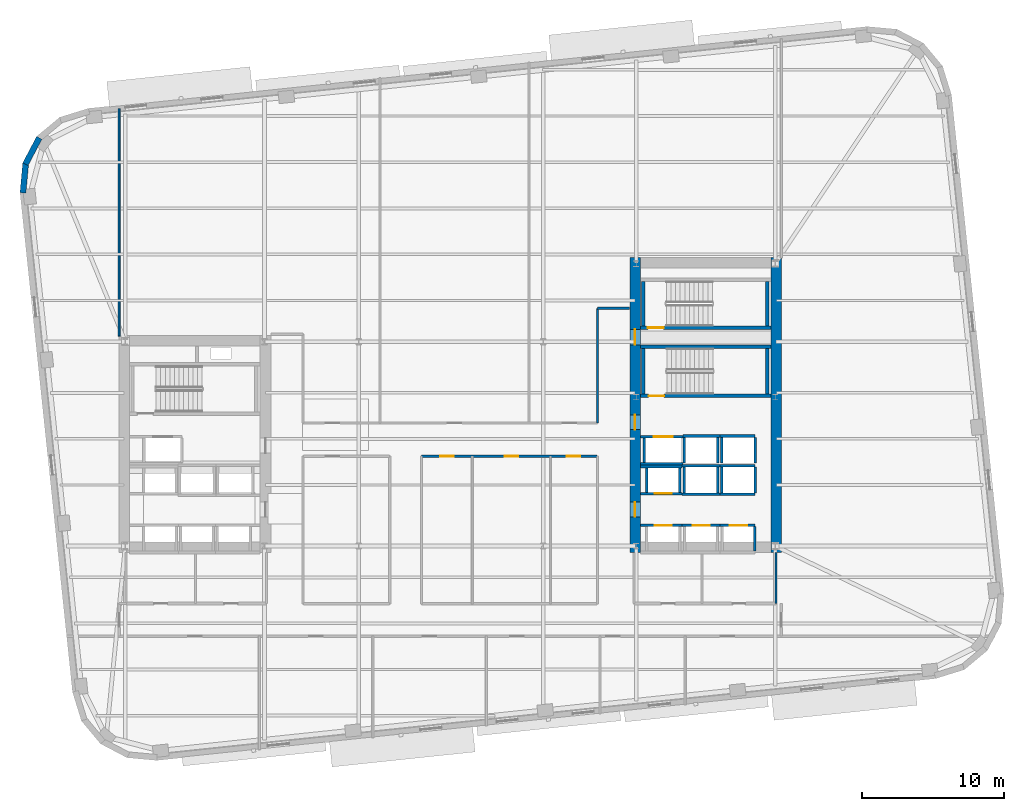
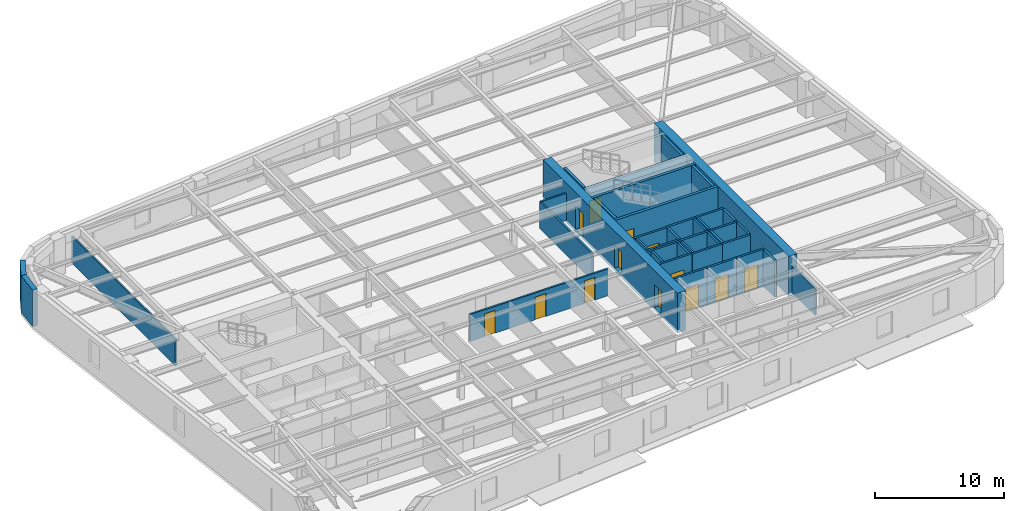
# One storey, part 6 of 11: 41 walls, 13 doors, 13 openings.
"""IFC4 building model written with IfcOpenShell, lengths in metres."""

from ifc_helpers import new_model, si_unit, direction, frame, frame_2d, origin, place, context, subcontext, project, spatial, rectangle, extrude, material, layer, layer_set, type_object, element, fill, save


model = new_model("IFC4")

# Units and contexts
model_context = context("Model", 3, precision=1e-05, world=origin(), true_north=direction((0.0, 1.0)))
body_context = subcontext(model_context, "Body", "Model", "MODEL_VIEW")
ifc_project = project(units=[si_unit("LENGTHUNIT", "METRE"), si_unit("AREAUNIT", "SQUARE_METRE"), si_unit("VOLUMEUNIT", "CUBIC_METRE"), si_unit("PLANEANGLEUNIT", "RADIAN"), si_unit("MASSUNIT", "GRAM", prefix="KILO")], contexts=[model_context])

# Site, building, storey
site_placement = place(None, origin())
site = spatial("IfcSite", under=ifc_project, at=site_placement, CompositionType="ELEMENT")
building_placement = place(site_placement, origin())
building = spatial("IfcBuilding", under=site, at=building_placement, Name="Kolvaren Arena Tower", CompositionType="ELEMENT")
storey_placement = place(building_placement, frame((0.0, 0.0, 103.449951171875)))
storey = spatial("IfcBuildingStorey", under=building, at=storey_placement, Name="L23", CompositionType="ELEMENT", Elevation=103.449951171875)

# Wall, openings, doors
ifc_material_1 = material(Name="Gypsum board acoustic assembly", Category="gypsum")
ifc_layer_1 = layer(ifc_material_1, 0.159912109375)
ifc_layer_set_1 = layer_set([ifc_layer_1], Name="Gypsum board acoustic assembly")
wall_type_1 = type_object("IfcWallType", Name="CORR-160", PredefinedType="PARTITIONING", material=ifc_layer_set_1)
wall_1_placement = place(storey_placement, frame((35.43994140625, 25.780029296875, 0.0), z_axis=(0.0, 0.0, 1.0), x_axis=(1.0, 0.0, 0.0)))
wall_1 = element("IfcWall", 1, at=wall_1_placement, inside=storey, type_object=wall_type_1, Name="Interior Partition Wall (L23)", PredefinedType="PARTITIONING", context=body_context, shape_type="SweptSolid", body=[
    extrude(rectangle(XDim=12.360107421875, YDim=0.159912109375, at=frame_2d((6.18017578125, 0.0))), origin(), (0.0, 0.0, 1.0), 2.5400390625),
])
opening_1_placement = place(wall_1_placement, frame((1.304931640625, 0.0, 0.0)))
opening_1 = element("IfcOpeningElement", 2, at=opening_1_placement, cuts=wall_1, Name="Opening D05", PredefinedType="OPENING", context=body_context, shape_type="SweptSolid", body=[
    extrude(rectangle(XDim=0.949951171875, YDim=2.14990234375, at=frame_2d((0.47509765625, 1.074951171875))), frame((0.0, 0.08984375, 0.0), z_axis=(0.0, -1.0, 0.0), x_axis=(1.0, 0.0, 0.0)), (0.0, 0.0, 1.0), 0.179931640625),
])
opening_2_placement = place(wall_1_placement, frame((5.8349609375, 0.0, 0.0)))
opening_2 = element("IfcOpeningElement", 3, at=opening_2_placement, cuts=wall_1, Name="Opening D05", PredefinedType="OPENING", context=body_context, shape_type="SweptSolid", body=[
    extrude(rectangle(XDim=0.949951171875, YDim=2.14990234375, at=frame_2d((0.47509765625, 1.074951171875))), frame((0.0, 0.08984375, 0.0), z_axis=(0.0, -1.0, 0.0), x_axis=(1.0, 0.0, 0.0)), (0.0, 0.0, 1.0), 0.179931640625),
])
opening_3_placement = place(wall_1_placement, frame((10.235107421875, 0.0, 0.0)))
opening_3 = element("IfcOpeningElement", 4, at=opening_3_placement, cuts=wall_1, Name="Opening D05", PredefinedType="OPENING", context=body_context, shape_type="SweptSolid", body=[
    extrude(rectangle(XDim=0.949951171875, YDim=2.14990234375, at=frame_2d((0.47509765625, 1.074951171875))), frame((0.0, 0.08984375, 0.0), z_axis=(0.0, -1.0, 0.0), x_axis=(1.0, 0.0, 0.0)), (0.0, 0.0, 1.0), 0.179931640625),
])
ifc_material_2 = material(Name="Solid-core oak acoustic office door", Category="wood")
door_type_1 = type_object("IfcDoorType", Name="DOOR-OF-095", OperationType="NOTDEFINED", PredefinedType="DOOR", material=ifc_material_2)
door_1_placement = place(opening_1_placement, origin())
door_1 = element("IfcDoor", 5, at=door_1_placement, inside=storey, type_object=door_type_1, Name="Breakout Pantry and Kitchen Door (L23)", OperationType="SINGLE_SWING_LEFT", OverallHeight=2.14990234375, OverallWidth=0.949951171875, PredefinedType="DOOR", context=body_context, shape_type="SweptSolid", body=[
    extrude(rectangle(XDim=0.949951171875, YDim=2.14990234375, at=frame_2d((0.47509765625, 1.074951171875))), frame((0.0, 0.02490234375, 0.0), z_axis=(0.0, -1.0, 0.0), x_axis=(1.0, 0.0, 0.0)), (0.0, 0.0, 1.0), 0.050048828125),
])
fill(opening_1, door_1)
door_2_placement = place(opening_2_placement, origin())
door_2 = element("IfcDoor", 6, at=door_2_placement, inside=storey, type_object=door_type_1, Name="Design Studio Door (L23)", OperationType="SINGLE_SWING_RIGHT", OverallHeight=2.14990234375, OverallWidth=0.949951171875, PredefinedType="DOOR", context=body_context, shape_type="SweptSolid", body=[
    extrude(rectangle(XDim=0.949951171875, YDim=2.14990234375, at=frame_2d((0.47509765625, 1.074951171875))), frame((0.0, 0.02490234375, 0.0), z_axis=(0.0, -1.0, 0.0), x_axis=(1.0, 0.0, 0.0)), (0.0, 0.0, 1.0), 0.050048828125),
])
fill(opening_2, door_2)
door_3_placement = place(opening_3_placement, origin())
door_3 = element("IfcDoor", 7, at=door_3_placement, inside=storey, type_object=door_type_1, Name="Training Seminar Room Door (L23)", OperationType="SINGLE_SWING_LEFT", OverallHeight=2.14990234375, OverallWidth=0.949951171875, PredefinedType="DOOR", context=body_context, shape_type="SweptSolid", body=[
    extrude(rectangle(XDim=0.949951171875, YDim=2.14990234375, at=frame_2d((0.47509765625, 1.074951171875))), frame((0.0, 0.02490234375, 0.0), z_axis=(0.0, -1.0, 0.0), x_axis=(1.0, 0.0, 0.0)), (0.0, 0.0, 1.0), 0.050048828125),
])
fill(opening_3, door_3)

# Walls
wall_2_placement = place(storey_placement, frame((47.820068359375, 28.1201171875, 0.0), z_axis=(0.0, 0.0, 1.0), x_axis=(0.0, 1.0, 0.0)))
element("IfcWall", 8, at=wall_2_placement, inside=storey, type_object=wall_type_1, Name="Interior Partition Wall (L23)", PredefinedType="PARTITIONING", context=body_context, shape_type="SweptSolid", body=[
    extrude(rectangle(XDim=8.079833984375, YDim=0.159912109375, at=frame_2d((4.0400390625, 0.0))), origin(), (0.0, 0.0, 1.0), 2.5400390625),
])
wall_3_placement = place(storey_placement, frame((47.820068359375, 36.199951171875, 0.0), z_axis=(0.0, 0.0, 1.0), x_axis=(1.0, 0.0, 0.0)))
element("IfcWall", 9, at=wall_3_placement, inside=storey, type_object=wall_type_1, Name="Interior Partition Wall (L23)", PredefinedType="PARTITIONING", context=body_context, shape_type="SweptSolid", body=[
    extrude(rectangle(XDim=2.260009765625, YDim=0.159912109375, at=frame_2d((1.1298828125, 0.0))), origin(), (0.0, 0.0, 1.0), 2.5400390625),
])

# Wall, openings, doors
ifc_material_3 = material(Name="Concrete 70 MPa", Category="concrete")
ifc_layer_2 = layer(ifc_material_3, 0.75)
ifc_layer_set_2 = layer_set([ifc_layer_2], Name="Concrete 70 MPa")
wall_type_2 = type_object("IfcWallType", Name="CWALL-750", PredefinedType="SHEAR", material=ifc_layer_set_2)
wall_4_placement = place(storey_placement, frame((50.47509765625, 19.0, -0.27001953125), z_axis=(0.0, 0.0, 1.0), x_axis=(0.0, 1.0, 0.0)))
wall_4 = element("IfcWall", 10, at=wall_4_placement, inside=storey, type_object=wall_type_2, Name="Core Shear Wall EC-WEST (L23)", PredefinedType="SHEAR", context=body_context, shape_type="SweptSolid", body=[
    extrude(rectangle(XDim=20.800048828125, YDim=0.75, at=frame_2d((10.39990234375, 0.0))), origin(), (0.0, 0.0, 1.0), 3.75),
])
opening_4_placement = place(wall_4_placement, frame((2.5, 0.0, 0.27001953125)))
opening_4 = element("IfcOpeningElement", 11, at=opening_4_placement, cuts=wall_4, Name="Opening D04", PredefinedType="OPENING", context=body_context, shape_type="SweptSolid", body=[
    extrude(rectangle(XDim=1.050048828125, YDim=2.14990234375, at=frame_2d((0.52490234375, 1.074951171875))), frame((0.0, 0.385009765625, 0.0), z_axis=(0.0, -1.0, 0.0), x_axis=(1.0, 0.0, 0.0)), (0.0, 0.0, 1.0), 0.77001953125),
])
opening_5_placement = place(wall_4_placement, frame((8.64990234375, 0.0, 0.27001953125)))
opening_5 = element("IfcOpeningElement", 12, at=opening_5_placement, cuts=wall_4, Name="Opening D04", PredefinedType="OPENING", context=body_context, shape_type="SweptSolid", body=[
    extrude(rectangle(XDim=1.050048828125, YDim=2.14990234375, at=frame_2d((0.52490234375, 1.074951171875))), frame((0.0, 0.385009765625, 0.0), z_axis=(0.0, -1.0, 0.0), x_axis=(1.0, 0.0, 0.0)), (0.0, 0.0, 1.0), 0.77001953125),
])
opening_6_placement = place(wall_4_placement, frame((14.6201171875, 0.0, 0.27001953125)))
opening_6 = element("IfcOpeningElement", 13, at=opening_6_placement, cuts=wall_4, Name="Opening D03", PredefinedType="OPENING", context=body_context, shape_type="SweptSolid", body=[
    extrude(rectangle(XDim=1.10009765625, YDim=2.14990234375, at=frame_2d((0.550048828125, 1.074951171875))), frame((0.0, 0.385009765625, 0.0), z_axis=(0.0, -1.0, 0.0), x_axis=(1.0, 0.0, 0.0)), (0.0, 0.0, 1.0), 0.77001953125),
])
ifc_material_4 = material(Name="Fire-rated steel lobby door", Category="steel")
door_type_2 = type_object("IfcDoorType", Name="DOOR-FF-105", OperationType="NOTDEFINED", PredefinedType="DOOR", material=ifc_material_4)
door_4_placement = place(opening_4_placement, origin())
door_4 = element("IfcDoor", 14, at=door_4_placement, inside=storey, type_object=door_type_2, Name="East Lift Lobby Fire Door (L23)", OperationType="SINGLE_SWING_RIGHT", OverallHeight=2.14990234375, OverallWidth=1.050048828125, PredefinedType="DOOR", context=body_context, shape_type="SweptSolid", body=[
    extrude(rectangle(XDim=1.050048828125, YDim=2.14990234375, at=frame_2d((0.52490234375, 1.074951171875))), frame((0.0, 0.02490234375, 0.0), z_axis=(0.0, -1.0, 0.0), x_axis=(1.0, 0.0, 0.0)), (0.0, 0.0, 1.0), 0.050048828125),
])
fill(opening_4, door_4)
door_5_placement = place(opening_5_placement, origin())
door_5 = element("IfcDoor", 15, at=door_5_placement, inside=storey, type_object=door_type_2, Name="East Firefighter Vestibule Door (L23)", OperationType="SINGLE_SWING_LEFT", OverallHeight=2.14990234375, OverallWidth=1.050048828125, PredefinedType="DOOR", context=body_context, shape_type="SweptSolid", body=[
    extrude(rectangle(XDim=1.050048828125, YDim=2.14990234375, at=frame_2d((0.52490234375, 1.074951171875))), frame((0.0, 0.02490234375, 0.0), z_axis=(0.0, -1.0, 0.0), x_axis=(1.0, 0.0, 0.0)), (0.0, 0.0, 1.0), 0.050048828125),
])
fill(opening_5, door_5)
ifc_material_5 = material(Name="Fire-rated steel exit stair door", Category="steel")
door_type_3 = type_object("IfcDoorType", Name="DOOR-ST-110", OperationType="NOTDEFINED", PredefinedType="DOOR", material=ifc_material_5)
door_6_placement = place(opening_6_placement, origin())
door_6 = element("IfcDoor", 16, at=door_6_placement, inside=storey, type_object=door_type_3, Name="Stair ST-E2 Vestibule Fire Door (L23)", OperationType="SINGLE_SWING_LEFT", OverallHeight=2.14990234375, OverallWidth=1.10009765625, PredefinedType="DOOR", context=body_context, shape_type="SweptSolid", body=[
    extrude(rectangle(XDim=1.10009765625, YDim=2.14990234375, at=frame_2d((0.550048828125, 1.074951171875))), frame((0.0, 0.02490234375, 0.0), z_axis=(0.0, -1.0, 0.0), x_axis=(1.0, 0.0, 0.0)), (0.0, 0.0, 1.0), 0.050048828125),
])
fill(opening_6, door_6)

# Walls
wall_5_placement = place(storey_placement, frame((60.425048828125, 19.0, -0.27001953125), z_axis=(0.0, 0.0, 1.0), x_axis=(0.0, 1.0, 0.0)))
element("IfcWall", 17, at=wall_5_placement, inside=storey, type_object=wall_type_2, Name="Core Shear Wall EC-EAST (L23)", PredefinedType="SHEAR", context=body_context, shape_type="SweptSolid", body=[
    extrude(rectangle(XDim=20.800048828125, YDim=0.75, at=frame_2d((10.39990234375, 0.0))), origin(), (0.0, 0.0, 1.0), 3.75),
])
ifc_material_6 = material(Name="Precast concrete C50/60", Category="concrete")
ifc_layer_3 = layer(ifc_material_6, 0.419921875)
ifc_layer_set_3 = layer_set([ifc_layer_3], Name="Precast concrete C50/60")
wall_type_3 = type_object("IfcWallType", Name="EXT-PIER1", PredefinedType="SOLIDWALL", material=ifc_layer_set_3)
wall_6_placement = place(storey_placement, frame((7.50927734375, 46.35400390625, 0.0), z_axis=(0.0, 0.0, 1.0), x_axis=(0.465612698516, 0.884988595961, 0.0)))
element("IfcWall", 18, at=wall_6_placement, inside=storey, type_object=wall_type_3, Name="Exterior Precast Masonry-Frame Wall (L23)", PredefinedType="SOLIDWALL", context=body_context, shape_type="SweptSolid", body=[
    extrude(rectangle(XDim=2.106689453125, YDim=0.419921875, at=frame_2d((1.05322265625, 0.0))), origin(), (0.0, 0.0, 1.0), 3.47998046875),
])
wall_7_placement = place(storey_placement, frame((7.339599609375, 44.33447265625, 0.0), z_axis=(0.0, 0.0, 1.0), x_axis=(0.091538655308, 0.995801523691, 0.0)))
element("IfcWall", 19, at=wall_7_placement, inside=storey, type_object=wall_type_3, Name="Exterior Precast Masonry-Frame Wall (L23)", PredefinedType="SOLIDWALL", context=body_context, shape_type="SweptSolid", body=[
    extrude(rectangle(XDim=2.10693359375, YDim=0.419921875, at=frame_2d((1.053466796875, 0.0))), origin(), (0.0, 0.0, 1.0), 3.47998046875),
])
ifc_material_7 = material(Name="Gypsum board partition assembly", Category="gypsum")
ifc_layer_4 = layer(ifc_material_7, 0.135009765625)
ifc_layer_set_4 = layer_set([ifc_layer_4], Name="Gypsum board partition assembly")
wall_type_4 = type_object("IfcWallType", Name="PART-135", PredefinedType="PARTITIONING", material=ifc_layer_set_4)
wall_8_placement = place(storey_placement, frame((14.1201171875, 34.25, 0.0), z_axis=(0.0, 0.0, 1.0), x_axis=(0.0, 1.0, 0.0)))
element("IfcWall", 20, at=wall_8_placement, inside=storey, type_object=wall_type_4, Name="Interior Partition Wall (L23)", PredefinedType="PARTITIONING", context=body_context, shape_type="SweptSolid", body=[
    extrude(rectangle(XDim=16.026611328125, YDim=0.135009765625, at=frame_2d((8.01318359375, 0.0))), origin(), (0.0, 0.0, 1.0), 2.5400390625),
])

# Wall, opening, door
ifc_material_8 = material(Name="Concrete 45 MPa", Category="concrete")
ifc_layer_5 = layer(ifc_material_8, 0.25)
ifc_layer_set_5 = layer_set([ifc_layer_5], Name="Concrete 45 MPa")
wall_type_5 = type_object("IfcWallType", Name="SHAFT-250", PredefinedType="SOLIDWALL", material=ifc_layer_set_5)
wall_9_placement = place(storey_placement, frame((60.050048828125, 30.030029296875, 0.0), z_axis=(0.0, 0.0, 1.0), x_axis=(-1.0, 0.0, 0.0)))
wall_9 = element("IfcWall", 21, at=wall_9_placement, inside=storey, type_object=wall_type_5, Name="Core Shaft Wall (L23)", PredefinedType="SOLIDWALL", context=body_context, shape_type="SweptSolid", body=[
    extrude(rectangle(XDim=9.199951171875, YDim=0.239990234375, at=frame_2d((4.60009765625, 0.0))), origin(), (0.0, 0.0, 1.0), 3.47998046875),
])
opening_7_placement = place(wall_9_placement, frame((7.530029296875, 0.0, 0.0)))
opening_7 = element("IfcOpeningElement", 22, at=opening_7_placement, cuts=wall_9, Name="Opening D03", PredefinedType="OPENING", context=body_context, shape_type="SweptSolid", body=[
    extrude(rectangle(XDim=1.10009765625, YDim=2.14990234375, at=frame_2d((0.550048828125, 1.074951171875))), frame((0.0, 0.1298828125, 0.0), z_axis=(0.0, -1.0, 0.0), x_axis=(1.0, 0.0, 0.0)), (0.0, 0.0, 1.0), 0.260009765625),
])
door_7_placement = place(opening_7_placement, origin())
door_7 = element("IfcDoor", 23, at=door_7_placement, inside=storey, type_object=door_type_3, Name="Stair ST-E1 Fire Door (L23)", OperationType="SINGLE_SWING_LEFT", OverallHeight=2.14990234375, OverallWidth=1.10009765625, PredefinedType="DOOR", context=body_context, shape_type="SweptSolid", body=[
    extrude(rectangle(XDim=1.10009765625, YDim=2.14990234375, at=frame_2d((0.550048828125, 1.074951171875))), frame((0.0, 0.02490234375, 0.0), z_axis=(0.0, -1.0, 0.0), x_axis=(1.0, 0.0, 0.0)), (0.0, 0.0, 1.0), 0.050048828125),
])
fill(opening_7, door_7)

# Walls
wall_10_placement = place(storey_placement, frame((50.85009765625, 33.5, 0.0), z_axis=(0.0, 0.0, 1.0), x_axis=(1.0, 0.0, 0.0)))
element("IfcWall", 24, at=wall_10_placement, inside=storey, type_object=wall_type_5, Name="Core Shaft Wall (L23)", PredefinedType="SOLIDWALL", context=body_context, shape_type="SweptSolid", body=[
    extrude(rectangle(XDim=9.199951171875, YDim=0.239990234375, at=frame_2d((4.60009765625, 0.0))), origin(), (0.0, 0.0, 1.0), 3.47998046875),
])
for number, where, z_axis, x_axis, name in (
    (25, (51.06005859375, 30.14990234375, 0.0), (0.0, 0.0, 1.0), (0.0, 1.0, 0.0), "Core Shaft Wall (L23)"),
    (26, (59.780029296875, 30.14990234375, 0.0), (0.0, 0.0, 1.0), (0.0, 1.0, 0.0), "Core Shaft Wall (L23)"),
):
    element("IfcWall", number, at=place(storey_placement, frame(where, z_axis=z_axis, x_axis=x_axis)), inside=storey, type_object=wall_type_5, Name=name, PredefinedType="SOLIDWALL", context=body_context, shape_type="SweptSolid", body=[
        extrude(rectangle(XDim=3.22998046875, YDim=0.239990234375, at=frame_2d((1.614990234375, 0.0))), origin(), (0.0, 0.0, 1.0), 3.47998046875),
    ])

# Wall, opening, door
wall_11_placement = place(storey_placement, frame((60.050048828125, 34.830078125, 0.0), z_axis=(0.0, 0.0, 1.0), x_axis=(-1.0, 0.0, 0.0)))
wall_11 = element("IfcWall", 27, at=wall_11_placement, inside=storey, type_object=wall_type_5, Name="Core Shaft Wall (L23)", PredefinedType="SOLIDWALL", context=body_context, shape_type="SweptSolid", body=[
    extrude(rectangle(XDim=9.199951171875, YDim=0.239990234375, at=frame_2d((4.60009765625, 0.0))), origin(), (0.0, 0.0, 1.0), 3.47998046875),
])
opening_8_placement = place(wall_11_placement, frame((7.570068359375, 0.0, 0.0)))
opening_8 = element("IfcOpeningElement", 28, at=opening_8_placement, cuts=wall_11, Name="Opening D03", PredefinedType="OPENING", context=body_context, shape_type="SweptSolid", body=[
    extrude(rectangle(XDim=1.10009765625, YDim=2.14990234375, at=frame_2d((0.550048828125, 1.074951171875))), frame((0.0, 0.1298828125, 0.0), z_axis=(0.0, -1.0, 0.0), x_axis=(1.0, 0.0, 0.0)), (0.0, 0.0, 1.0), 0.260009765625),
])
door_8_placement = place(opening_8_placement, origin())
door_8 = element("IfcDoor", 29, at=door_8_placement, inside=storey, type_object=door_type_3, Name="Stair ST-E2 Fire Door (L23)", OperationType="SINGLE_SWING_LEFT", OverallHeight=2.14990234375, OverallWidth=1.10009765625, PredefinedType="DOOR", context=body_context, shape_type="SweptSolid", body=[
    extrude(rectangle(XDim=1.10009765625, YDim=2.14990234375, at=frame_2d((0.550048828125, 1.074951171875))), frame((0.0, 0.02490234375, 0.0), z_axis=(0.0, -1.0, 0.0), x_axis=(1.0, 0.0, 0.0)), (0.0, 0.0, 1.0), 0.050048828125),
])
fill(opening_8, door_8)

# Walls
for number, where, z_axis, x_axis, name in (
    (30, (51.06005859375, 34.949951171875, 0.0), (0.0, 0.0, 1.0), (0.0, 1.0, 0.0), "Core Shaft Wall (L23)"),
    (31, (59.780029296875, 34.949951171875, 0.0), (0.0, 0.0, 1.0), (0.0, 1.0, 0.0), "Core Shaft Wall (L23)"),
):
    element("IfcWall", number, at=place(storey_placement, frame(where, z_axis=z_axis, x_axis=x_axis)), inside=storey, type_object=wall_type_5, Name=name, PredefinedType="SOLIDWALL", context=body_context, shape_type="SweptSolid", body=[
        extrude(rectangle(XDim=3.150146484375, YDim=0.239990234375, at=frame_2d((1.5751953125, 0.0))), origin(), (0.0, 0.0, 1.0), 3.47998046875),
    ])

# Wall, opening, door
wall_12_placement = place(storey_placement, frame((50.85009765625, 20.905029296875, 0.0), z_axis=(0.0, 0.0, 1.0), x_axis=(1.0, 0.0, 0.0)))
wall_12 = element("IfcWall", 32, at=wall_12_placement, inside=storey, type_object=wall_type_5, Name="Core Shaft Wall (L23)", PredefinedType="SOLIDWALL", context=body_context, shape_type="SweptSolid", body=[
    extrude(rectangle(XDim=2.93994140625, YDim=0.179931640625, at=frame_2d((1.469970703125, 0.0))), origin(), (0.0, 0.0, 1.0), 3.47998046875),
])
opening_9_placement = place(wall_12_placement, frame((1.010009765625, 0.0, 0.0)))
opening_9 = element("IfcOpeningElement", 33, at=opening_9_placement, cuts=wall_12, Name="Opening LD1", PredefinedType="OPENING", context=body_context, shape_type="SweptSolid", body=[
    extrude(rectangle(XDim=1.199951171875, YDim=2.199951171875, at=frame_2d((0.60009765625, 1.10009765625))), frame((0.0, 0.099853515625, 0.0), z_axis=(0.0, -1.0, 0.0), x_axis=(1.0, 0.0, 0.0)), (0.0, 0.0, 1.0), 0.199951171875),
])
ifc_material_9 = material(Name="Stainless steel passenger lift landing door", Category="steel")
door_type_4 = type_object("IfcDoorType", Name="DOOR-LD-120", OperationType="DOUBLE_DOOR_SLIDING", PredefinedType="DOOR", material=ifc_material_9)
door_9_placement = place(opening_9_placement, origin())
door_9 = element("IfcDoor", 34, at=door_9_placement, inside=storey, type_object=door_type_4, Name="Lift EL-LR1 Landing Door (L23)", OperationType="DOUBLE_DOOR_SLIDING", OverallHeight=2.199951171875, OverallWidth=1.199951171875, PredefinedType="DOOR", context=body_context, shape_type="SweptSolid", body=[
    extrude(rectangle(XDim=1.199951171875, YDim=2.199951171875, at=frame_2d((0.60009765625, 1.10009765625))), frame((0.0, 0.02490234375, 0.0), z_axis=(0.0, -1.0, 0.0), x_axis=(1.0, 0.0, 0.0)), (0.0, 0.0, 1.0), 0.050048828125),
])
fill(opening_9, door_9)

wall_13_placement = place(storey_placement, frame((53.7900390625, 20.905029296875, 0.0), z_axis=(0.0, 0.0, 1.0), x_axis=(1.0, 0.0, 0.0)))
wall_13 = element("IfcWall", 35, at=wall_13_placement, inside=storey, type_object=wall_type_5, Name="Core Shaft Wall (L23)", PredefinedType="SOLIDWALL", context=body_context, shape_type="SweptSolid", body=[
    extrude(rectangle(XDim=2.64990234375, YDim=0.179931640625, at=frame_2d((1.324951171875, 0.0))), origin(), (0.0, 0.0, 1.0), 3.47998046875),
])
opening_10_placement = place(wall_13_placement, frame((0.72998046875, 0.0, 0.0)))
opening_10 = element("IfcOpeningElement", 36, at=opening_10_placement, cuts=wall_13, Name="Opening LD1", PredefinedType="OPENING", context=body_context, shape_type="SweptSolid", body=[
    extrude(rectangle(XDim=1.199951171875, YDim=2.199951171875, at=frame_2d((0.60009765625, 1.10009765625))), frame((0.0, 0.099853515625, 0.0), z_axis=(0.0, -1.0, 0.0), x_axis=(1.0, 0.0, 0.0)), (0.0, 0.0, 1.0), 0.199951171875),
])
door_10_placement = place(opening_10_placement, origin())
door_10 = element("IfcDoor", 37, at=door_10_placement, inside=storey, type_object=door_type_4, Name="Lift EL-LR2 Landing Door (L23)", OperationType="DOUBLE_DOOR_SLIDING", OverallHeight=2.199951171875, OverallWidth=1.199951171875, PredefinedType="DOOR", context=body_context, shape_type="SweptSolid", body=[
    extrude(rectangle(XDim=1.199951171875, YDim=2.199951171875, at=frame_2d((0.60009765625, 1.10009765625))), frame((0.0, 0.02490234375, 0.0), z_axis=(0.0, -1.0, 0.0), x_axis=(1.0, 0.0, 0.0)), (0.0, 0.0, 1.0), 0.050048828125),
])
fill(opening_10, door_10)

wall_14_placement = place(storey_placement, frame((56.43994140625, 20.905029296875, 0.0), z_axis=(0.0, 0.0, 1.0), x_axis=(1.0, 0.0, 0.0)))
wall_14 = element("IfcWall", 38, at=wall_14_placement, inside=storey, type_object=wall_type_5, Name="Core Shaft Wall (L23)", PredefinedType="SOLIDWALL", context=body_context, shape_type="SweptSolid", body=[
    extrude(rectangle(XDim=2.47509765625, YDim=0.179931640625, at=frame_2d((1.237548828125, 0.0))), origin(), (0.0, 0.0, 1.0), 3.47998046875),
])
opening_11_placement = place(wall_14_placement, frame((0.719970703125, 0.0, 0.0)))
opening_11 = element("IfcOpeningElement", 39, at=opening_11_placement, cuts=wall_14, Name="Opening LD1", PredefinedType="OPENING", context=body_context, shape_type="SweptSolid", body=[
    extrude(rectangle(XDim=1.199951171875, YDim=2.199951171875, at=frame_2d((0.60009765625, 1.10009765625))), frame((0.0, 0.099853515625, 0.0), z_axis=(0.0, -1.0, 0.0), x_axis=(1.0, 0.0, 0.0)), (0.0, 0.0, 1.0), 0.199951171875),
])
door_11_placement = place(opening_11_placement, origin())
door_11 = element("IfcDoor", 40, at=door_11_placement, inside=storey, type_object=door_type_4, Name="Lift EL-LR3 Landing Door (L23)", OperationType="DOUBLE_DOOR_SLIDING", OverallHeight=2.199951171875, OverallWidth=1.199951171875, PredefinedType="DOOR", context=body_context, shape_type="SweptSolid", body=[
    extrude(rectangle(XDim=1.199951171875, YDim=2.199951171875, at=frame_2d((0.60009765625, 1.10009765625))), frame((0.0, 0.02490234375, 0.0), z_axis=(0.0, -1.0, 0.0), x_axis=(1.0, 0.0, 0.0)), (0.0, 0.0, 1.0), 0.050048828125),
])
fill(opening_11, door_11)

# Walls
wall_15_placement = place(storey_placement, frame((58.9150390625, 19.0849609375, 0.0), z_axis=(0.0, 0.0, 1.0), x_axis=(0.0, 1.0, 0.0)))
element("IfcWall", 41, at=wall_15_placement, inside=storey, type_object=wall_type_5, Name="Core Shaft Wall (L23)", PredefinedType="SOLIDWALL", context=body_context, shape_type="SweptSolid", body=[
    extrude(rectangle(XDim=1.72998046875, YDim=0.179931640625, at=frame_2d((0.864990234375, 0.0))), origin(), (0.0, 0.0, 1.0), 3.47998046875),
])
wall_16_placement = place(storey_placement, frame((50.85009765625, 25.054931640625, 0.0), z_axis=(0.0, 0.0, 1.0), x_axis=(1.0, 0.0, 0.0)))
element("IfcWall", 42, at=wall_16_placement, inside=storey, type_object=wall_type_5, Name="Core Shaft Wall (L23)", PredefinedType="SOLIDWALL", context=body_context, shape_type="SweptSolid", body=[
    extrude(rectangle(XDim=2.927490234375, YDim=0.179931640625, at=frame_2d((1.4638671875, 0.0))), origin(), (0.0, 0.0, 1.0), 3.47998046875),
])

# Wall, opening, door
wall_17_placement = place(storey_placement, frame((50.85009765625, 23.14501953125, 0.0), z_axis=(0.0, 0.0, 1.0), x_axis=(1.0, 0.0, 0.0)))
wall_17 = element("IfcWall", 43, at=wall_17_placement, inside=storey, type_object=wall_type_5, Name="Core Shaft Wall (L23)", PredefinedType="SOLIDWALL", context=body_context, shape_type="SweptSolid", body=[
    extrude(rectangle(XDim=2.927490234375, YDim=0.179931640625, at=frame_2d((1.4638671875, 0.0))), origin(), (0.0, 0.0, 1.0), 3.47998046875),
])
opening_12_placement = place(wall_17_placement, frame((1.010009765625, 0.0, 0.0)))
opening_12 = element("IfcOpeningElement", 44, at=opening_12_placement, cuts=wall_17, Name="Opening LD1", PredefinedType="OPENING", context=body_context, shape_type="SweptSolid", body=[
    extrude(rectangle(XDim=1.199951171875, YDim=2.199951171875, at=frame_2d((0.60009765625, 1.10009765625))), frame((0.0, 0.099853515625, 0.0), z_axis=(0.0, -1.0, 0.0), x_axis=(1.0, 0.0, 0.0)), (0.0, 0.0, 1.0), 0.199951171875),
])
door_12_placement = place(opening_12_placement, origin())
door_12 = element("IfcDoor", 45, at=door_12_placement, inside=storey, type_object=door_type_4, Name="Lift EL-LR4 Landing Door (L23)", OperationType="DOUBLE_DOOR_SLIDING", OverallHeight=2.199951171875, OverallWidth=1.199951171875, PredefinedType="DOOR", context=body_context, shape_type="SweptSolid", body=[
    extrude(rectangle(XDim=1.199951171875, YDim=2.199951171875, at=frame_2d((0.60009765625, 1.10009765625))), frame((0.0, 0.02490234375, 0.0), z_axis=(0.0, -1.0, 0.0), x_axis=(1.0, 0.0, 0.0)), (0.0, 0.0, 1.0), 0.050048828125),
])
fill(opening_12, door_12)

# Walls
for number, where, z_axis, x_axis, name in (
    (46, (51.304931640625, 23.235107421875, 0.0), (0.0, 0.0, 1.0), (0.0, 1.0, 0.0), "Core Shaft Wall (L23)"),
    (47, (53.614990234375, 23.235107421875, 0.0), (0.0, 0.0, 1.0), (0.0, 1.0, 0.0), "Core Shaft Wall (L23)"),
):
    element("IfcWall", number, at=place(storey_placement, frame(where, z_axis=z_axis, x_axis=x_axis)), inside=storey, type_object=wall_type_5, Name=name, PredefinedType="SOLIDWALL", context=body_context, shape_type="SweptSolid", body=[
        extrude(rectangle(XDim=1.72998046875, YDim=0.179931640625, at=frame_2d((0.864990234375, 0.0))), origin(), (0.0, 0.0, 1.0), 3.47998046875),
    ])
for number, where, z_axis, x_axis, name in (
    (48, (53.777587890625, 25.10498046875, 0.0), (0.0, 0.0, 1.0), (1.0, 0.0, 0.0), "Core Shaft Wall (L23)"),
    (49, (53.777587890625, 23.094970703125, 0.0), (0.0, 0.0, 1.0), (1.0, 0.0, 0.0), "Core Shaft Wall (L23)"),
):
    element("IfcWall", number, at=place(storey_placement, frame(where, z_axis=z_axis, x_axis=x_axis)), inside=storey, type_object=wall_type_5, Name=name, PredefinedType="SOLIDWALL", context=body_context, shape_type="SweptSolid", body=[
        extrude(rectangle(XDim=2.662353515625, YDim=0.179931640625, at=frame_2d((1.3310546875, 0.0))), origin(), (0.0, 0.0, 1.0), 3.47998046875),
    ])
for number, where, z_axis, x_axis, name in (
    (50, (53.93994140625, 23.18505859375, 0.0), (0.0, 0.0, 1.0), (0.0, 1.0, 0.0), "Core Shaft Wall (L23)"),
    (51, (56.300048828125, 23.18505859375, 0.0), (0.0, 0.0, 1.0), (0.0, 1.0, 0.0), "Core Shaft Wall (L23)"),
):
    element("IfcWall", number, at=place(storey_placement, frame(where, z_axis=z_axis, x_axis=x_axis)), inside=storey, type_object=wall_type_5, Name=name, PredefinedType="SOLIDWALL", context=body_context, shape_type="SweptSolid", body=[
        extrude(rectangle(XDim=1.829833984375, YDim=0.179931640625, at=frame_2d((0.9150390625, 0.0))), origin(), (0.0, 0.0, 1.0), 3.47998046875),
    ])
for number, where, z_axis, x_axis, name in (
    (52, (56.43994140625, 25.10498046875, 0.0), (0.0, 0.0, 1.0), (1.0, 0.0, 0.0), "Core Shaft Wall (L23)"),
    (53, (56.43994140625, 23.094970703125, 0.0), (0.0, 0.0, 1.0), (1.0, 0.0, 0.0), "Core Shaft Wall (L23)"),
):
    element("IfcWall", number, at=place(storey_placement, frame(where, z_axis=z_axis, x_axis=x_axis)), inside=storey, type_object=wall_type_5, Name=name, PredefinedType="SOLIDWALL", context=body_context, shape_type="SweptSolid", body=[
        extrude(rectangle(XDim=2.5, YDim=0.179931640625, at=frame_2d((1.25, 0.0))), origin(), (0.0, 0.0, 1.0), 3.47998046875),
    ])
for number, where, z_axis, x_axis, name in (
    (54, (56.580078125, 23.18505859375, 0.0), (0.0, 0.0, 1.0), (0.0, 1.0, 0.0), "Core Shaft Wall (L23)"),
    (55, (58.93994140625, 23.18505859375, 0.0), (0.0, 0.0, 1.0), (0.0, 1.0, 0.0), "Core Shaft Wall (L23)"),
):
    element("IfcWall", number, at=place(storey_placement, frame(where, z_axis=z_axis, x_axis=x_axis)), inside=storey, type_object=wall_type_5, Name=name, PredefinedType="SOLIDWALL", context=body_context, shape_type="SweptSolid", body=[
        extrude(rectangle(XDim=1.829833984375, YDim=0.179931640625, at=frame_2d((0.9150390625, 0.0))), origin(), (0.0, 0.0, 1.0), 3.47998046875),
    ])
wall_18_placement = place(storey_placement, frame((53.864990234375, 27.205078125, 0.0), z_axis=(0.0, 0.0, 1.0), x_axis=(1.0, 0.0, 0.0)))
element("IfcWall", 56, at=wall_18_placement, inside=storey, type_object=wall_type_5, Name="Core Shaft Wall (L23)", PredefinedType="SOLIDWALL", context=body_context, shape_type="SweptSolid", body=[
    extrude(rectangle(XDim=2.574951171875, YDim=0.179931640625, at=frame_2d((1.28759765625, 0.0))), origin(), (0.0, 0.0, 1.0), 3.47998046875),
])
for number, where, z_axis, x_axis, name in (
    (57, (53.93994140625, 25.284912109375, 0.0), (0.0, 0.0, 1.0), (0.0, 1.0, 0.0), "Core Shaft Wall (L23)"),
    (58, (56.300048828125, 25.284912109375, 0.0), (0.0, 0.0, 1.0), (0.0, 1.0, 0.0), "Core Shaft Wall (L23)"),
):
    element("IfcWall", number, at=place(storey_placement, frame(where, z_axis=z_axis, x_axis=x_axis)), inside=storey, type_object=wall_type_5, Name=name, PredefinedType="SOLIDWALL", context=body_context, shape_type="SweptSolid", body=[
        extrude(rectangle(XDim=1.830078125, YDim=0.179931640625, at=frame_2d((0.9150390625, 0.0))), origin(), (0.0, 0.0, 1.0), 3.47998046875),
    ])
wall_19_placement = place(storey_placement, frame((56.43994140625, 27.205078125, 0.0), z_axis=(0.0, 0.0, 1.0), x_axis=(1.0, 0.0, 0.0)))
element("IfcWall", 59, at=wall_19_placement, inside=storey, type_object=wall_type_5, Name="Core Shaft Wall (L23)", PredefinedType="SOLIDWALL", context=body_context, shape_type="SweptSolid", body=[
    extrude(rectangle(XDim=2.5, YDim=0.179931640625, at=frame_2d((1.25, 0.0))), origin(), (0.0, 0.0, 1.0), 3.47998046875),
])
for number, where, z_axis, x_axis, name in (
    (60, (56.580078125, 25.284912109375, 0.0), (0.0, 0.0, 1.0), (0.0, 1.0, 0.0), "Core Shaft Wall (L23)"),
    (61, (58.93994140625, 25.284912109375, 0.0), (0.0, 0.0, 1.0), (0.0, 1.0, 0.0), "Core Shaft Wall (L23)"),
):
    element("IfcWall", number, at=place(storey_placement, frame(where, z_axis=z_axis, x_axis=x_axis)), inside=storey, type_object=wall_type_5, Name=name, PredefinedType="SOLIDWALL", context=body_context, shape_type="SweptSolid", body=[
        extrude(rectangle(XDim=1.830078125, YDim=0.179931640625, at=frame_2d((0.9150390625, 0.0))), origin(), (0.0, 0.0, 1.0), 3.47998046875),
    ])

# Wall, opening, door
wall_20_placement = place(storey_placement, frame((50.85009765625, 27.155029296875, 0.0), z_axis=(0.0, 0.0, 1.0), x_axis=(1.0, 0.0, 0.0)))
wall_20 = element("IfcWall", 62, at=wall_20_placement, inside=storey, type_object=wall_type_5, Name="Core Shaft Wall (L23)", PredefinedType="SOLIDWALL", context=body_context, shape_type="SweptSolid", body=[
    extrude(rectangle(XDim=3.014892578125, YDim=0.179931640625, at=frame_2d((1.50732421875, 0.0))), origin(), (0.0, 0.0, 1.0), 3.47998046875),
])
opening_13_placement = place(wall_20_placement, frame((0.93505859375, 0.0, 0.0)))
opening_13 = element("IfcOpeningElement", 63, at=opening_13_placement, cuts=wall_20, Name="Opening LD2", PredefinedType="OPENING", context=body_context, shape_type="SweptSolid", body=[
    extrude(rectangle(XDim=1.35009765625, YDim=2.300048828125, at=frame_2d((0.675048828125, 1.14990234375))), frame((0.0, 0.099853515625, 0.0), z_axis=(0.0, -1.0, 0.0), x_axis=(1.0, 0.0, 0.0)), (0.0, 0.0, 1.0), 0.199951171875),
])
ifc_material_10 = material(Name="Stainless steel firefighter lift landing door", Category="steel")
door_type_5 = type_object("IfcDoorType", Name="DOOR-LD-135", OperationType="DOUBLE_DOOR_SLIDING", PredefinedType="DOOR", material=ifc_material_10)
door_13_placement = place(opening_13_placement, origin())
door_13 = element("IfcDoor", 64, at=door_13_placement, inside=storey, type_object=door_type_5, Name="Firefighter Lift FF-E1 Landing Door (L23)", OperationType="DOUBLE_DOOR_SLIDING", OverallHeight=2.300048828125, OverallWidth=1.35009765625, PredefinedType="DOOR", context=body_context, shape_type="SweptSolid", body=[
    extrude(rectangle(XDim=1.35009765625, YDim=2.300048828125, at=frame_2d((0.675048828125, 1.14990234375))), frame((0.0, 0.02490234375, 0.0), z_axis=(0.0, -1.0, 0.0), x_axis=(1.0, 0.0, 0.0)), (0.0, 0.0, 1.0), 0.050048828125),
])
fill(opening_13, door_13)

# Walls
wall_21_placement = place(storey_placement, frame((50.85009765625, 25.2451171875, 0.0), z_axis=(0.0, 0.0, 1.0), x_axis=(1.0, 0.0, 0.0)))
element("IfcWall", 65, at=wall_21_placement, inside=storey, type_object=wall_type_5, Name="Core Shaft Wall (L23)", PredefinedType="SOLIDWALL", context=body_context, shape_type="SweptSolid", body=[
    extrude(rectangle(XDim=3.014892578125, YDim=0.179931640625, at=frame_2d((1.50732421875, 0.0))), origin(), (0.0, 0.0, 1.0), 3.47998046875),
])
wall_22_placement = place(storey_placement, frame((51.1298828125, 25.3349609375, 0.0), z_axis=(0.0, 0.0, 1.0), x_axis=(0.0, 1.0, 0.0)))
element("IfcWall", 66, at=wall_22_placement, inside=storey, type_object=wall_type_5, Name="Core Shaft Wall (L23)", PredefinedType="SOLIDWALL", context=body_context, shape_type="SweptSolid", body=[
    extrude(rectangle(XDim=1.72998046875, YDim=0.179931640625, at=frame_2d((0.864990234375, 0.0))), origin(), (0.0, 0.0, 1.0), 3.47998046875),
])
ifc_material_11 = material(Name="Moisture-resistant gypsum assembly", Category="gypsum")
ifc_layer_6 = layer(ifc_material_11, 0.14990234375)
ifc_layer_set_6 = layer_set([ifc_layer_6], Name="Moisture-resistant gypsum assembly")
wall_type_6 = type_object("IfcWallType", Name="WETW-150", PredefinedType="PARTITIONING", material=ifc_layer_set_6)
wall_23_placement = place(storey_placement, frame((60.39990234375, 15.39990234375, 0.0), z_axis=(0.0, 0.0, 1.0), x_axis=(0.0, 1.0, 0.0)))
element("IfcWall", 67, at=wall_23_placement, inside=storey, type_object=wall_type_6, Name="Interior Partition Wall (L23)", PredefinedType="PARTITIONING", context=body_context, shape_type="SweptSolid", body=[
    extrude(rectangle(XDim=3.580078125, YDim=0.14990234375, at=frame_2d((1.7900390625, 0.0))), origin(), (0.0, 0.0, 1.0), 2.5400390625),
])

save(model, "model.ifc")
